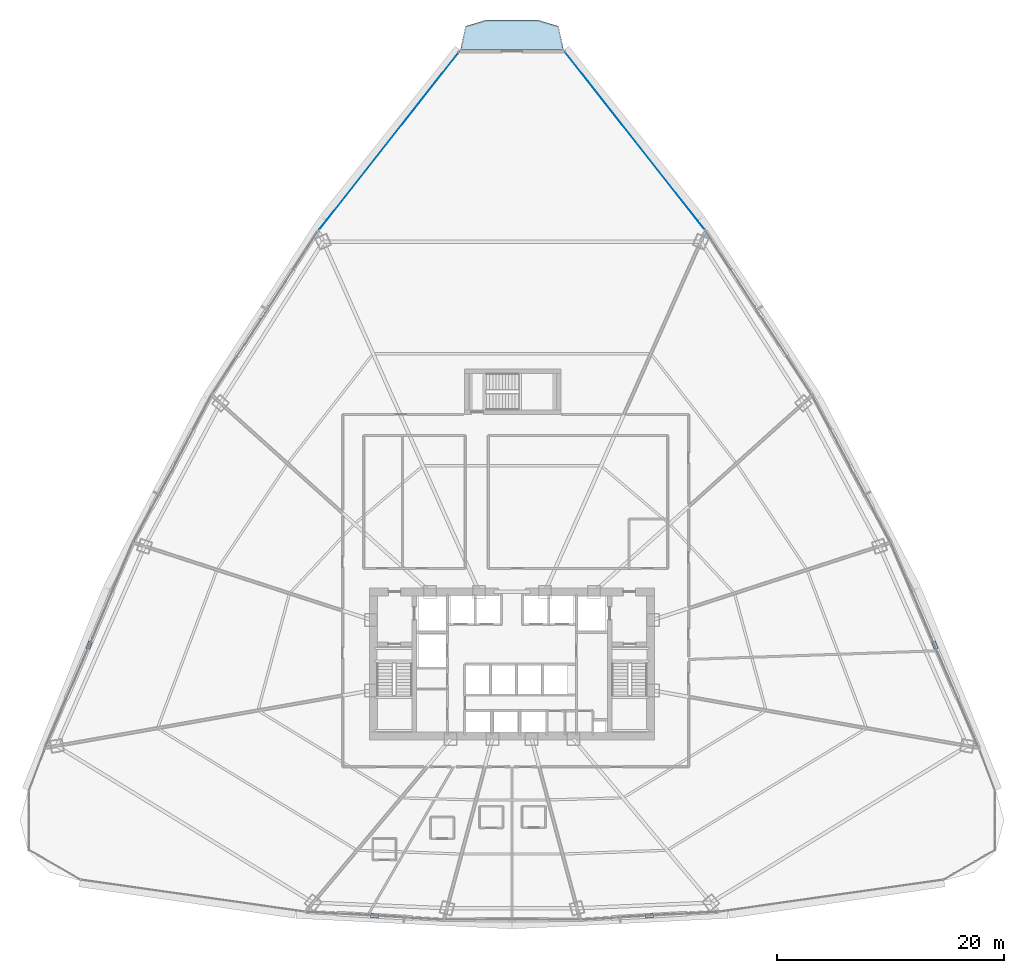
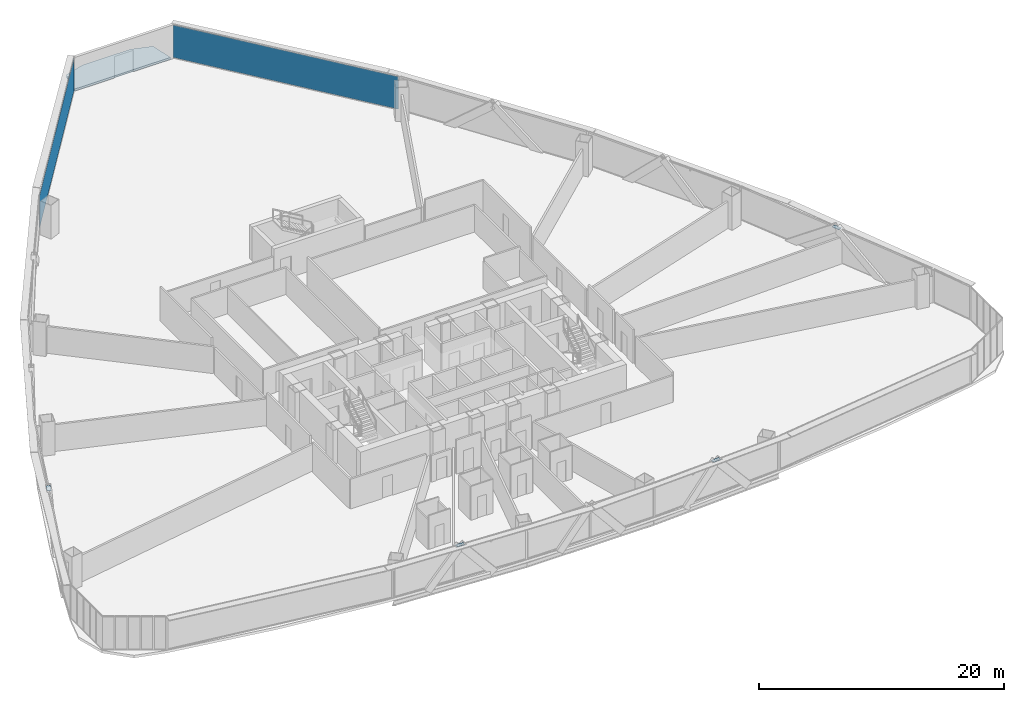
# One storey, part 31 of 40: 6 plates, 1 slab, 2 elements without a shape of their own.
"""IFC4 building model written with IfcOpenShell, lengths in metres."""

import ifcopenshell
import ifcopenshell.guid

model = None  # the IFC model being written
_history = None  # IfcOwnerHistory: only IFC2X3 demands one
_inside = {}  # id of a spatial element -> (the spatial element, [elements in it])
_under = {}  # id of a project, library or spatial element -> (it, [spatial elements below it])
_declared = {}  # id of a project -> (the project, [libraries it declares])
_typed = {}  # id of a type object -> (the type object, [elements of that type])
_made_of = {}  # id of a material, layer set ... -> (it, [elements and type objects made of it])


def new_model(schema):
    """Start an empty IFC model of exactly this schema.

    Asked for "IFC4X3", IfcOpenShell would pick the latest addendum, in which some entities
    have other attributes; the version numbers below select the first issue.
    IFC2X3 requires an IfcOwnerHistory on every rooted entity: one is made here for all.
    """
    global model, _history
    if schema == "IFC4X3":
        model = ifcopenshell.file(schema_version=(4, 3, 0, 0))
    else:
        model = ifcopenshell.file(schema=schema)
    _inside.clear()
    _under.clear()
    _declared.clear()
    _typed.clear()
    _made_of.clear()
    _history = None
    if model.schema == "IFC2X3":
        org = make("IfcOrganization", Name="unknown")
        user = make(
            "IfcPersonAndOrganization",
            ThePerson=make("IfcPerson", FamilyName="unknown"),
            TheOrganization=org,
        )
        app = make(
            "IfcApplication",
            ApplicationDeveloper=org,
            Version="unknown",
            ApplicationFullName="unknown",
            ApplicationIdentifier="unknown",
        )
        _history = make(
            "IfcOwnerHistory",
            OwningUser=user,
            OwningApplication=app,
            ChangeAction="ADDED",
            CreationDate=0,
        )
    return model


def make(cls, **values):
    """One entity of the class cls with the attributes given. An attribute that is None is left unset."""
    return model.create_entity(
        cls, **{name: value for name, value in values.items() if value is not None}
    )


def rooted(cls, **values):
    """An entity with a GlobalId (a new one), such as an element, a storey or a relation."""
    return make(cls, GlobalId=ifcopenshell.guid.new(), OwnerHistory=_history, **values)


def si_unit(unit_type, name, prefix=None):
    """IfcSIUnit, for example si_unit("LENGTHUNIT", "METRE", prefix="MILLI")."""
    return make("IfcSIUnit", UnitType=unit_type, Prefix=prefix, Name=name)


def assignment(units):
    """IfcUnitAssignment: the units of a project."""
    return None if units is None else make("IfcUnitAssignment", Units=units)


def point(xyz):
    """IfcCartesianPoint."""
    return None if xyz is None else make("IfcCartesianPoint", Coordinates=xyz)


def direction(xyz):
    """IfcDirection."""
    return None if xyz is None else make("IfcDirection", DirectionRatios=xyz)


def frame(location, z_axis=None, x_axis=None):
    """IfcAxis2Placement3D, a coordinate frame: its origin and axes. An axis left out is left unset."""
    return make(
        "IfcAxis2Placement3D",
        Location=point(location),
        Axis=direction(z_axis),
        RefDirection=direction(x_axis),
    )


def frame_2d(location, x_axis=None):
    """IfcAxis2Placement2D, a coordinate frame in the plane: its origin and x axis."""
    return make(
        "IfcAxis2Placement2D", Location=point(location), RefDirection=direction(x_axis)
    )


def origin():
    """The frame at (0, 0, 0) with its axes left unset."""
    return frame((0.0, 0.0, 0.0))


def origin_2d():
    """The frame at (0, 0) in the plane with its x axis left unset."""
    return frame_2d((0.0, 0.0))


def place(relative_to, where):
    """IfcLocalPlacement: puts the frame where relative to a parent placement (None: the world)."""
    return make(
        "IfcLocalPlacement", PlacementRelTo=relative_to, RelativePlacement=where
    )


def context(
    kind, dimensions, precision=None, world=None, true_north=None, identifier=None
):
    """IfcGeometricRepresentationContext, for example the 3D "Model" context."""
    return make(
        "IfcGeometricRepresentationContext",
        ContextIdentifier=identifier,
        ContextType=kind,
        CoordinateSpaceDimension=dimensions,
        Precision=precision,
        WorldCoordinateSystem=world,
        TrueNorth=true_north,
    )


def subcontext(parent, identifier, kind, view, scale=None):
    """IfcGeometricRepresentationSubContext, for example "Body" below "Model"."""
    return make(
        "IfcGeometricRepresentationSubContext",
        ContextIdentifier=identifier,
        ContextType=kind,
        ParentContext=parent,
        TargetScale=scale,
        TargetView=view,
    )


def project(units=None, contexts=None):
    """IfcProject with its units and contexts."""
    return rooted(
        "IfcProject",
        Name="project",
        RepresentationContexts=contexts,
        UnitsInContext=assignment(units),
    )


def spatial(cls, under=None, at=None, **own):
    """A site, building, storey or space (cls), placed at a placement, below another one or the project."""
    s = rooted(cls, ObjectPlacement=at, **own)
    if under is not None:
        _under.setdefault(under.id(), (under, []))[1].append(s)
    return s


def polyline(points):
    """IfcPolyline through the points."""
    return make("IfcPolyline", Points=[point(p) for p in points])


def profile(cls, at=None, kind="AREA", **sizes):
    """A parametric profile (cls). Its sizes go by their IFC names, for example OverallWidth=200.0."""
    return make(cls, ProfileType=kind, Position=at, **sizes)


def rectangle(**sizes):
    """IfcRectangleProfileDef."""
    return profile("IfcRectangleProfileDef", **sizes)


def outline(outer, holes=None, kind="AREA"):
    """IfcArbitraryClosedProfileDef: a profile drawn as a closed curve; with holes, ...WithVoids."""
    if holes is None:
        return make("IfcArbitraryClosedProfileDef", ProfileType=kind, OuterCurve=outer)
    return make(
        "IfcArbitraryProfileDefWithVoids",
        ProfileType=kind,
        OuterCurve=outer,
        InnerCurves=holes,
    )


def extrude(swept, where, along, depth):
    """IfcExtrudedAreaSolid: the profile swept, set in the frame where, extruded along a direction by depth."""
    return make(
        "IfcExtrudedAreaSolid",
        SweptArea=swept,
        Position=where,
        ExtrudedDirection=direction(along),
        Depth=depth,
    )


def shape(context_of_items, identifier, shape_type, items):
    """IfcShapeRepresentation: the items that make up one representation, for example the "Body"."""
    return make(
        "IfcShapeRepresentation",
        ContextOfItems=context_of_items,
        RepresentationIdentifier=identifier,
        RepresentationType=shape_type,
        Items=items,
    )


def source(mapping_origin, context_of_items, identifier, shape_type, items):
    """IfcRepresentationMap: a shape defined once, which mapped items show again and again."""
    return make(
        "IfcRepresentationMap",
        MappingOrigin=mapping_origin,
        MappedRepresentation=shape(context_of_items, identifier, shape_type, items),
    )


def transform(
    local_origin,
    x_axis=None,
    y_axis=None,
    z_axis=None,
    scale=None,
    scale2=None,
    scale3=None,
    uniform=True,
):
    """IfcCartesianTransformationOperator3D, or its non-uniform kind. x_axis, y_axis, z_axis: its Axis1, 2, 3."""
    if uniform:
        return make(
            "IfcCartesianTransformationOperator3D",
            Axis1=direction(x_axis),
            Axis2=direction(y_axis),
            LocalOrigin=point(local_origin),
            Scale=scale,
            Axis3=direction(z_axis),
        )
    return make(
        "IfcCartesianTransformationOperator3DnonUniform",
        Axis1=direction(x_axis),
        Axis2=direction(y_axis),
        LocalOrigin=point(local_origin),
        Scale=scale,
        Axis3=direction(z_axis),
        Scale2=scale2,
        Scale3=scale3,
    )


def mapped(mapping_source, mapping_target):
    """IfcMappedItem: shows the shape of a source again, moved by a transform."""
    return make(
        "IfcMappedItem", MappingSource=mapping_source, MappingTarget=mapping_target
    )


def material(Name=None, Category=None):
    """IfcMaterial."""
    return make("IfcMaterial", Name=Name, Category=Category)


def layer(
    of_material, thickness, ventilated=None, Name=None, Category=None, Priority=None
):
    """IfcMaterialLayer: one layer of a wall or slab, of a material (None: an air gap)."""
    return make(
        "IfcMaterialLayer",
        Material=of_material,
        LayerThickness=thickness,
        IsVentilated=ventilated,
        Name=Name,
        Category=Category,
        Priority=Priority,
    )


def layer_set(layers, Name=None):
    """IfcMaterialLayerSet."""
    return make("IfcMaterialLayerSet", MaterialLayers=layers, LayerSetName=Name)


def made_of(thing, what):
    """Note that an element or type object is made of a material, layer set ...; save() writes the relation."""
    if what is not None:
        _made_of.setdefault(what.id(), (what, []))[1].append(thing)
    return thing


def type_object(cls, material=None, **own):
    """A type object (cls), such as IfcWallType, which elements share."""
    return made_of(rooted(cls, **own), material)


def element(
    cls,
    number,
    at=None,
    inside=None,
    cuts=None,
    type_object=None,
    material=None,
    context=None,
    identifier="Body",
    shape_type=None,
    held_by="IfcProductDefinitionShape",
    body=None,
    shapes=None,
    **own,
):
    """One element of the class cls, such as IfcWall. Its Tag is "e" and its number.

    at: its placement. inside: the storey or other place that contains it. cuts: it is an
    opening in that element (IfcRelVoidsElement). A single representation is given by context,
    identifier, shape_type and body (its items); several are given by shapes. held_by: the class
    of the entity that holds the representations. save() writes the other relations.
    """
    e = rooted(cls, Tag="e%d" % number, ObjectPlacement=at, **own)
    if body is not None:
        shapes = [shape(context, identifier, shape_type, body)]
    if shapes is not None:
        e.Representation = make(held_by, Representations=shapes)
    if inside is not None:
        _inside.setdefault(inside.id(), (inside, []))[1].append(e)
    if cuts is not None:
        rooted(
            "IfcRelVoidsElement", RelatingBuildingElement=cuts, RelatedOpeningElement=e
        )
    if type_object is not None:
        _typed.setdefault(type_object.id(), (type_object, []))[1].append(e)
    return made_of(e, material)


def aggregate(whole, parts):
    """IfcRelAggregates: a whole, such as a stair, and the parts it consists of."""
    return rooted("IfcRelAggregates", RelatingObject=whole, RelatedObjects=parts)


def save(model, path):
    """Write the relations noted so far, then the file.

    IfcRelAggregates (storeys below a building ...), IfcRelContainedInSpatialStructure (elements
    in a storey), IfcRelDefinesByType, IfcRelAssociatesMaterial and IfcRelDeclares: one each for
    every whole, place, type object, material and project.
    """
    for whole, parts in _under.values():
        aggregate(whole, parts)
    for where, things in _inside.values():
        rooted(
            "IfcRelContainedInSpatialStructure",
            RelatedElements=things,
            RelatingStructure=where,
        )
    for kind, things in _typed.values():
        rooted("IfcRelDefinesByType", RelatedObjects=things, RelatingType=kind)
    for what, things in _made_of.values():
        rooted("IfcRelAssociatesMaterial", RelatedObjects=things, RelatingMaterial=what)
    for by, libraries in _declared.values():
        rooted("IfcRelDeclares", RelatingContext=by, RelatedDefinitions=libraries)
    model.write(path)


model = new_model("IFC4")

# Units and contexts
model_context = context("Model", 3, precision=1e-05, world=origin(), true_north=direction((0.0, 1.0)))
body_context = subcontext(model_context, "Body", "Model", "MODEL_VIEW")
ifc_project = project(units=[si_unit("LENGTHUNIT", "METRE"), si_unit("AREAUNIT", "SQUARE_METRE"), si_unit("VOLUMEUNIT", "CUBIC_METRE"), si_unit("PLANEANGLEUNIT", "RADIAN"), si_unit("MASSUNIT", "GRAM", prefix="KILO"), si_unit("THERMODYNAMICTEMPERATUREUNIT", "KELVIN"), si_unit("POWERUNIT", "WATT")], contexts=[model_context])

# Site, building, storey
site_placement = place(None, origin())
site = spatial("IfcSite", under=ifc_project, at=site_placement, CompositionType="ELEMENT")
building_placement = place(site_placement, origin())
building = spatial("IfcBuilding", under=site, at=building_placement, Name="Yunzhuo Pagoda Commons", CompositionType="ELEMENT")
storey_placement = place(building_placement, frame((0.0, 0.0, 66.699951171875)))
storey = spatial("IfcBuildingStorey", under=building, at=storey_placement, Name="L17", CompositionType="ELEMENT", Elevation=66.699951171875)

# Slab
ifc_material_1 = material(Name="Concrete C40", Category="concrete")
ifc_layer_1 = layer(ifc_material_1, 0.199951171875)
ifc_layer_set_1 = layer_set([ifc_layer_1], Name="Concrete C40")
slab_type = type_object("IfcSlabType", Name="SL-BAL Vertex Balcony Deck Slab 200", PredefinedType="FLOOR", material=ifc_layer_set_1)
slab_placement = place(storey_placement, frame((0.0, 0.0, -0.199951171875)))
element("IfcSlab", 1, at=slab_placement, inside=storey, type_object=slab_type, Name="L17 corner balcony V3", PredefinedType="FLOOR", context=body_context, shape_type="SweptSolid", body=[
    extrude(outline(polyline([(52.54296875, 87.8701171875), (43.45703125, 87.8701171875), (43.906982421875, 89.965087890625), (45.728515625, 90.51513671875), (50.271484375, 90.51513671875), (52.093017578125, 89.965087890625), (52.54296875, 87.8701171875)])), origin(), (0.0, 0.0, 1.0), 0.199951171875),
])

# Plates
ifc_material_2 = material(Name="Structural steel Q355B", Category="steel")
ifc_layer_2 = layer(ifc_material_2, 0.028076171875)
ifc_layer_set_2 = layer_set([ifc_layer_2], Name="Structural steel Q355B")
plate_type_1 = type_object("IfcPlateType", Name="SP-ND1 Lattice Node Cap Plate 800x500x28", PredefinedType="USERDEFINED", material=ifc_layer_set_2)
shared_shape_1 = source(origin(), body_context, "Body", "SweptSolid", [
    extrude(rectangle(XDim=0.699951171875, YDim=0.35009765625, at=origin_2d()), origin(), (0.0, 0.0, 1.0), 0.035888671875),
])
for number, where, z_axis, x_axis, name in (
    (2, (35.91650390625, 11.68896484375, 3.33203125), (0.0, 0.0, 1.0), (0.998342821144, -0.057546602599, 0.0), "L17 setback lattice tie plate F1.1L"),
    (3, (60.08349609375, 11.68896484375, 3.33203125), (0.0, 0.0, 1.0), (0.998342821144, 0.057546602599, 0.0), "L17 setback lattice tie plate F1.3L"),
    (4, (85.2080078125, 35.493408203125, 3.33203125), (0.0, 0.0, 1.0), (-0.393973993227, 0.91912158753, 0.0), "L17 setback lattice tie plate F2.1L"),
    (5, (10.7919921875, 35.493408203125, 3.33203125), (0.0, 0.0, 1.0), (-0.393973993227, -0.91912158753, 0.0), "L17 setback lattice tie plate F3.3L"),
):
    element("IfcPlate", number, at=place(storey_placement, frame(where, z_axis=z_axis, x_axis=x_axis)), inside=storey, type_object=plate_type_1, Name=name, ObjectType="STIFFENER_PLATE", PredefinedType="USERDEFINED", context=body_context, shape_type="MappedRepresentation", body=[
        mapped(shared_shape_1, transform((0.0, 0.0, 0.0), scale=1.0)),
    ])

# Curtain wall, plate
ifc_material_3 = material(Name="Anodized aluminium 6063-T6", Category="aluminium")
ifc_layer_3 = layer(ifc_material_3, 0.1650390625)
ifc_layer_set_3 = layer_set([ifc_layer_3], Name="Anodized aluminium 6063-T6")
curtain_wall_type = type_object("IfcCurtainWallType", Name="CW-LOW Low-Zone Ribbon Curtain Wall", PredefinedType="NOTDEFINED", material=ifc_layer_set_3)
curtain_wall_1_placement = place(storey_placement, origin())
curtain_wall_1 = element("IfcCurtainWall", 6, at=curtain_wall_1_placement, inside=storey, type_object=curtain_wall_type, Name="L17 curtain wall CW-L17-F2B5", PredefinedType="NOTDEFINED")
ifc_material_4 = material(Name="Tempered low-e double glazing", Category="glass")
ifc_layer_4 = layer(ifc_material_4, 0.028076171875)
ifc_layer_set_4 = layer_set([ifc_layer_4], Name="Tempered low-e double glazing")
plate_type_2 = type_object("IfcPlateType", Name="CW-LOW-P Low-E Double Glazing 28", PredefinedType="CURTAIN_PANEL", material=ifc_layer_set_4)
shared_shape_2 = source(origin(), body_context, "Body", "SweptSolid", [
    extrude(rectangle(XDim=19.854248046875, YDim=0.028076171875, at=origin_2d()), origin(), (0.0, 0.0, 1.0), 3.25),
])
plate_1_placement = place(storey_placement, frame((58.814697265625, 79.880859375, 0.06005859375), z_axis=(0.0, 0.0, 1.0), x_axis=(-0.618168232602, 0.78604582322, 0.0)))
plate_1 = element("IfcPlate", 7, at=plate_1_placement, type_object=plate_type_2, Name="CW panel 1.1", PredefinedType="CURTAIN_PANEL", context=body_context, shape_type="MappedRepresentation", body=[
    mapped(shared_shape_2, transform((0.0, 0.0, 0.0), scale=1.0)),
])
aggregate(curtain_wall_1, [plate_1])

curtain_wall_2_placement = place(storey_placement, origin())
curtain_wall_2 = element("IfcCurtainWall", 8, at=curtain_wall_2_placement, inside=storey, type_object=curtain_wall_type, Name="L17 curtain wall CW-L17-F3B1", PredefinedType="NOTDEFINED")
plate_2_placement = place(storey_placement, frame((37.185302734375, 79.880859375, 0.06005859375), z_axis=(0.0, 0.0, 1.0), x_axis=(-0.618168232602, -0.78604582322, 0.0)))
plate_2 = element("IfcPlate", 9, at=plate_2_placement, type_object=plate_type_2, Name="CW panel 1.1", PredefinedType="CURTAIN_PANEL", context=body_context, shape_type="MappedRepresentation", body=[
    mapped(shared_shape_2, transform((0.0, 0.0, 0.0), scale=1.0)),
])
aggregate(curtain_wall_2, [plate_2])

save(model, "model.ifc")
